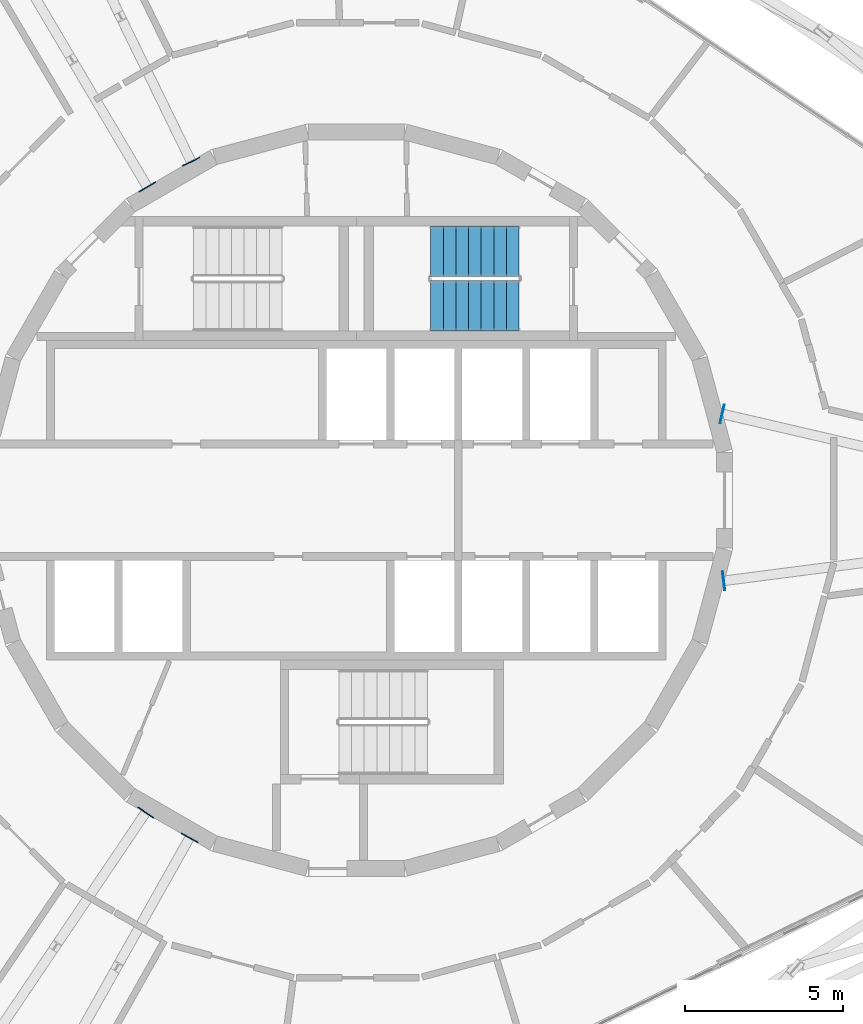
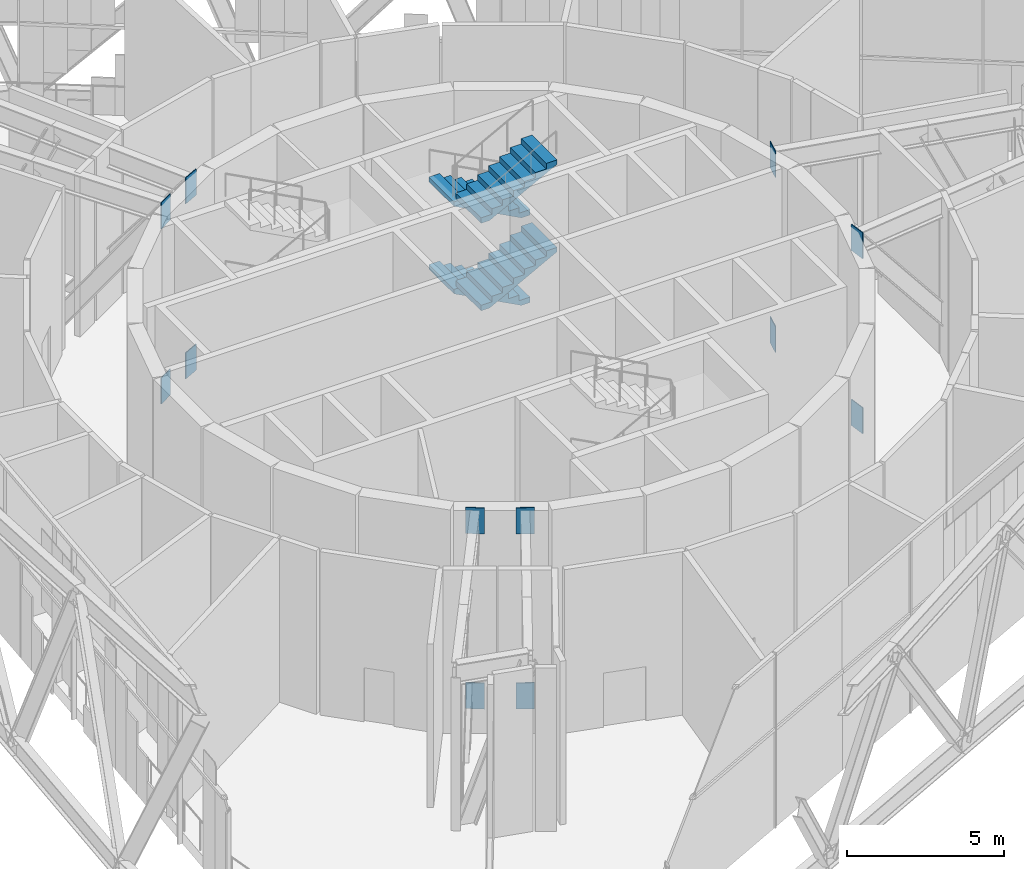
# One storey, part 22 of 24: 12 discrete accessories, 4 stair flights, 1 element without a shape of its own.
"""IFC4 building model written with IfcOpenShell, lengths in metres."""

from ifc_helpers import new_model, si_unit, direction, frame, origin, origin_2d, place, context, subcontext, project, spatial, polyline, rectangle, outline, extrude, material, layer, layer_set, type_object, element, aggregate, save


model = new_model("IFC4")

# Units and contexts
model_context = context("Model", 3, precision=1e-05, world=origin(), true_north=direction((0.0, 1.0)))
body_context = subcontext(model_context, "Body", "Model", "MODEL_VIEW")
ifc_project = project(units=[si_unit("LENGTHUNIT", "METRE"), si_unit("AREAUNIT", "SQUARE_METRE"), si_unit("VOLUMEUNIT", "CUBIC_METRE"), si_unit("PLANEANGLEUNIT", "RADIAN"), si_unit("MASSUNIT", "GRAM", prefix="KILO")], contexts=[model_context])

# Site, building, storey
site_placement = place(None, origin())
site = spatial("IfcSite", under=ifc_project, at=site_placement, CompositionType="ELEMENT")
building_placement = place(site_placement, origin())
building = spatial("IfcBuilding", under=site, at=building_placement, Name="Spindle Arch Residences", CompositionType="ELEMENT")
storey_placement = place(building_placement, frame((0.0, 0.0, 219.89990234375)))
storey = spatial("IfcBuildingStorey", under=building, at=storey_placement, Name="L56", CompositionType="ELEMENT", Elevation=219.89990234375)

# Stair, stair flights
ifc_material_1 = material(Name="Concrete C50/60", Category="concrete")
stair_type = type_object("IfcStairType", Name="Exit stair 32 risers", PredefinedType="HALF_TURN_STAIR", material=ifc_material_1)
stair_placement = place(storey_placement, origin())
stair = element("IfcStair", 1, at=stair_placement, inside=storey, type_object=stair_type, Name="L56 Exit stair ST1", PredefinedType="HALF_TURN_STAIR")
ifc_material_2 = material(Name="Concrete C50/60", Category="concrete")
stair_flight_type = type_object("IfcStairFlightType", Name="Exit stair flight", PredefinedType="STRAIGHT", material=ifc_material_2)
stair_flight_1_placement = place(storey_placement, frame((5.14990234375, 7.8701171875, 0.0), z_axis=(0.0, 0.0, 1.0), x_axis=(-1.0, 0.0, 0.0)))
stair_flight_1 = element("IfcStairFlight", 2, at=stair_flight_1_placement, type_object=stair_flight_type, Name="ST1 flight 1", NumberOfRisers=8, NumberOfTreads=7, PredefinedType="STRAIGHT", RiserHeight=0.2125, TreadLength=0.4, context=body_context, shape_type="SweptSolid", body=[
    extrude(outline(polyline([(0.0, 0.0), (0.0, 0.21240234375), (0.39990234375, 0.21240234375), (0.39990234375, 0.425048828125), (0.800048828125, 0.425048828125), (0.800048828125, 0.637451171875), (1.199951171875, 0.637451171875), (1.199951171875, 0.85009765625), (1.60009765625, 0.85009765625), (1.60009765625, 1.0625), (2.0, 1.0625), (2.0, 1.27490234375), (2.39990234375, 1.27490234375), (2.39990234375, 1.487548828125), (2.800048828125, 1.487548828125), (2.800048828125, 1.699951171875), (2.800048828125, 1.31787109375), (0.319580078125, 0.0), (0.0, 0.0)])), frame((0.0, 0.800048828125, 0.0), z_axis=(0.0, -1.0, 0.0), x_axis=(1.0, 0.0, 0.0)), (0.0, 0.0, 1.0), 1.60009765625),
])
stair_flight_2_placement = place(storey_placement, frame((2.35009765625, 6.14990234375, 1.7001953125), z_axis=(0.0, 0.0, 1.0), x_axis=(1.0, 0.0, 0.0)))
stair_flight_2 = element("IfcStairFlight", 3, at=stair_flight_2_placement, type_object=stair_flight_type, Name="ST1 flight 2", NumberOfRisers=8, NumberOfTreads=7, PredefinedType="STRAIGHT", RiserHeight=0.2125, TreadLength=0.4, context=body_context, shape_type="SweptSolid", body=[
    extrude(outline(polyline([(0.0, 0.0), (0.0, 0.21240234375), (0.39990234375, 0.21240234375), (0.39990234375, 0.425048828125), (0.800048828125, 0.425048828125), (0.800048828125, 0.637451171875), (1.199951171875, 0.637451171875), (1.199951171875, 0.85009765625), (1.60009765625, 0.85009765625), (1.60009765625, 1.0625), (2.0, 1.0625), (2.0, 1.27490234375), (2.39990234375, 1.27490234375), (2.39990234375, 1.487548828125), (2.800048828125, 1.487548828125), (2.800048828125, 1.699951171875), (2.800048828125, 1.31787109375), (0.319580078125, 0.0), (0.0, 0.0)])), frame((0.0, 0.800048828125, 0.0), z_axis=(0.0, -1.0, 0.0), x_axis=(1.0, 0.0, 0.0)), (0.0, 0.0, 1.0), 1.60009765625),
])
stair_flight_3_placement = place(storey_placement, frame((5.14990234375, 7.8701171875, 3.400146484375), z_axis=(0.0, 0.0, 1.0), x_axis=(-1.0, 0.0, 0.0)))
stair_flight_3 = element("IfcStairFlight", 4, at=stair_flight_3_placement, type_object=stair_flight_type, Name="ST1 flight 3", NumberOfRisers=8, NumberOfTreads=7, PredefinedType="STRAIGHT", RiserHeight=0.2125, TreadLength=0.4, context=body_context, shape_type="SweptSolid", body=[
    extrude(outline(polyline([(0.0, 0.0), (0.0, 0.21240234375), (0.39990234375, 0.21240234375), (0.39990234375, 0.425048828125), (0.800048828125, 0.425048828125), (0.800048828125, 0.637451171875), (1.199951171875, 0.637451171875), (1.199951171875, 0.85009765625), (1.60009765625, 0.85009765625), (1.60009765625, 1.0625), (2.0, 1.0625), (2.0, 1.27490234375), (2.39990234375, 1.27490234375), (2.39990234375, 1.487548828125), (2.800048828125, 1.487548828125), (2.800048828125, 1.699951171875), (2.800048828125, 1.31787109375), (0.319580078125, 0.0), (0.0, 0.0)])), frame((0.0, 0.800048828125, 0.0), z_axis=(0.0, -1.0, 0.0), x_axis=(1.0, 0.0, 0.0)), (0.0, 0.0, 1.0), 1.60009765625),
])
stair_flight_4_placement = place(storey_placement, frame((2.35009765625, 6.14990234375, 5.10009765625), z_axis=(0.0, 0.0, 1.0), x_axis=(1.0, 0.0, 0.0)))
stair_flight_4 = element("IfcStairFlight", 5, at=stair_flight_4_placement, type_object=stair_flight_type, Name="ST1 flight 4", NumberOfRisers=8, NumberOfTreads=7, PredefinedType="STRAIGHT", RiserHeight=0.2125, TreadLength=0.4, context=body_context, shape_type="SweptSolid", body=[
    extrude(outline(polyline([(0.0, 0.0), (0.0, 0.21240234375), (0.39990234375, 0.21240234375), (0.39990234375, 0.425048828125), (0.800048828125, 0.425048828125), (0.800048828125, 0.637451171875), (1.199951171875, 0.637451171875), (1.199951171875, 0.85009765625), (1.60009765625, 0.85009765625), (1.60009765625, 1.0625), (2.0, 1.0625), (2.0, 1.27490234375), (2.39990234375, 1.27490234375), (2.39990234375, 1.487548828125), (2.800048828125, 1.487548828125), (2.800048828125, 1.699951171875), (2.800048828125, 1.31787109375), (0.319580078125, 0.0), (0.0, 0.0)])), frame((0.0, 0.800048828125, 0.0), z_axis=(0.0, -1.0, 0.0), x_axis=(1.0, 0.0, 0.0)), (0.0, 0.0, 1.0), 1.60009765625),
])
aggregate(stair, [stair_flight_1, stair_flight_2, stair_flight_3, stair_flight_4])

# Discrete accessories
ifc_material_3 = material(Name="Steel S355J2, hot-dip galvanised", Category="steel")
ifc_layer = layer(ifc_material_3, 0.030029296875)
ifc_layer_set = layer_set([ifc_layer], Name="Cast-in plate 30x600x1014")
discrete_accessory_type = type_object("IfcDiscreteAccessoryType", Name="Cast-in plate 30x600x1014", PredefinedType="ANCHORPLATE", material=ifc_layer_set)
for number, where, z_axis, x_axis, name in (
    (6, (11.61962890625, -2.54931640625, -1.36376953125), (0.0, 0.0, 1.0), (0.991670937591, 0.12879732737, 0.0), "Cast-in plate"),
    (7, (11.61962890625, -2.54931640625, 5.43603515625), (0.0, 0.0, 1.0), (0.991670937591, 0.12879732737, 0.0), "Cast-in plate"),
    (8, (11.5712890625, 2.731689453125, -1.36376953125), (0.0, 0.0, 1.0), (0.974136328689, -0.225961087641, 0.0), "Cast-in plate"),
    (9, (11.5712890625, 2.731689453125, 5.43603515625), (0.0, 0.0, 1.0), (0.974136328689, -0.225961087641, 0.0), "Cast-in plate"),
    (10, (-5.2216796875, 10.705810546875, -1.36376953125), (0.0, 0.0, 1.0), (-0.438371146789, 0.898794046299, 0.0), "Cast-in plate"),
    (11, (-5.2216796875, 10.705810546875, 5.43603515625), (0.0, 0.0, 1.0), (-0.438371146789, 0.898794046299, 0.0), "Cast-in plate"),
    (12, (-6.607421875, 9.90576171875, -1.36376953125), (0.0, 0.0, 1.0), (-0.509852419797, 0.86026188456, 0.0), "Cast-in plate"),
    (13, (-6.607421875, 9.90576171875, 5.43603515625), (0.0, 0.0, 1.0), (-0.509852419797, 0.86026188456, 0.0), "Cast-in plate"),
    (14, (-6.66064453125, -9.875, -1.36376953125), (0.0, 0.0, 1.0), (-0.559191456526, -0.82903854853, 0.0), "Cast-in plate"),
    (15, (-6.66064453125, -9.875, 5.43603515625), (0.0, 0.0, 1.0), (-0.559191456526, -0.82903854853, 0.0), "Cast-in plate"),
    (16, (-5.27490234375, -10.675048828125, -1.36376953125), (0.0, 0.0, 1.0), (-0.490085478759, -0.87167437929, 0.0), "Cast-in plate"),
    (17, (-5.27490234375, -10.675048828125, 5.43603515625), (0.0, 0.0, 1.0), (-0.490085478759, -0.87167437929, 0.0), "Cast-in plate"),
):
    element("IfcDiscreteAccessory", number, at=place(storey_placement, frame(where, z_axis=z_axis, x_axis=x_axis)), inside=storey, type_object=discrete_accessory_type, Name=name, PredefinedType="ANCHORPLATE", context=body_context, shape_type="SweptSolid", body=[
        extrude(rectangle(XDim=0.030029296875, YDim=0.60009765625, at=origin_2d()), origin(), (0.0, 0.0, 1.0), 1.013916015625),
    ])

save(model, "model.ifc")
